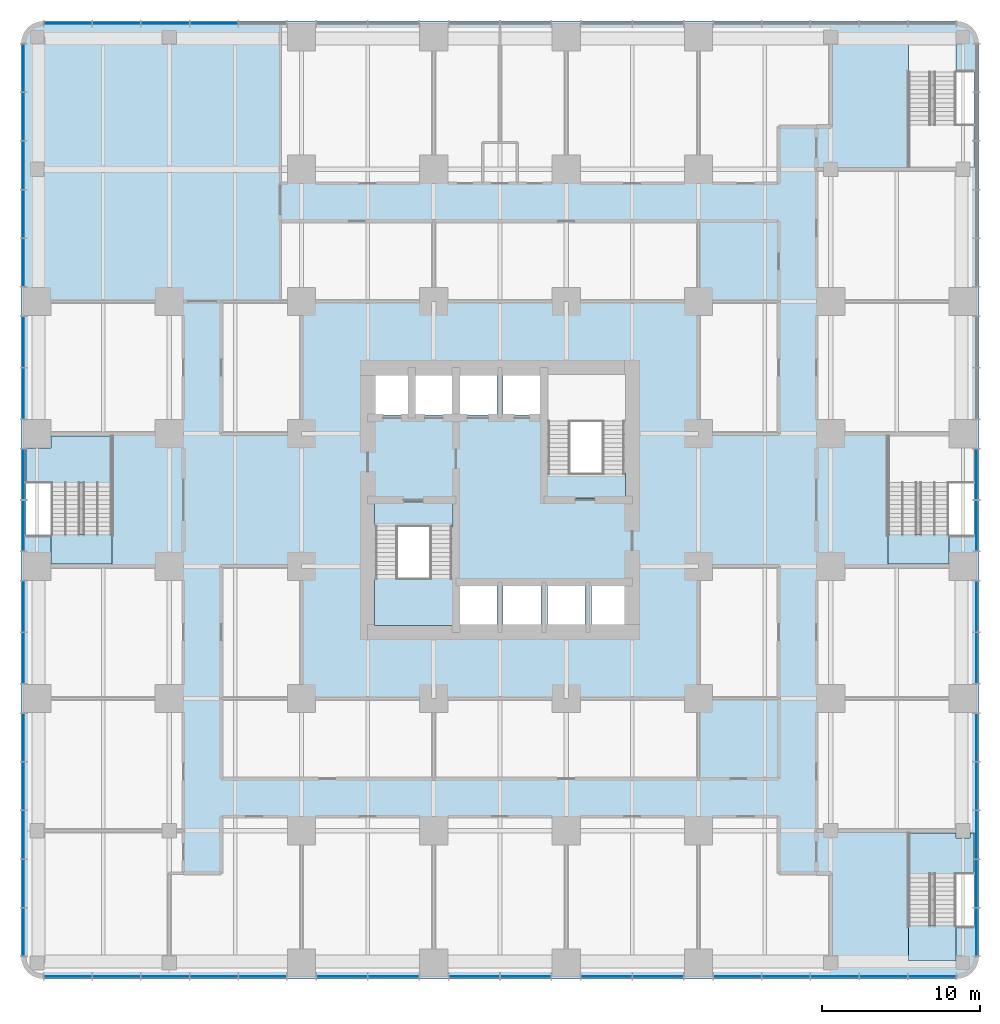
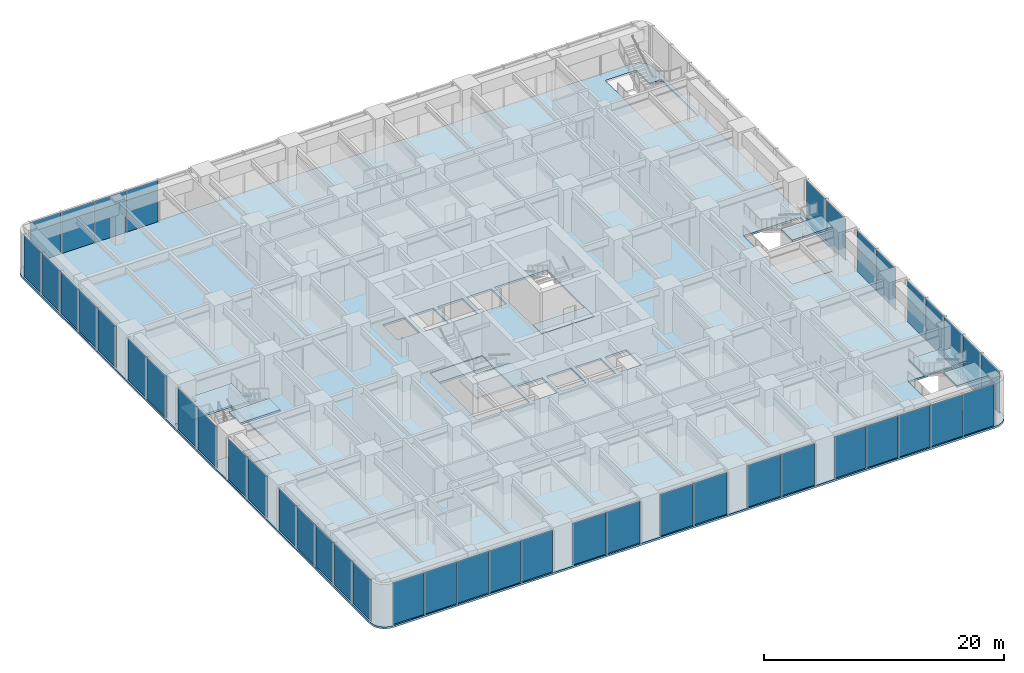
# One storey, part 8 of 17: 45 plates, 12 slabs, 9 elements without a shape of their own.
"""IFC4 building model written with IfcOpenShell, lengths in metres."""

from ifc_helpers import new_model, si_unit, direction, frame, origin, origin_2d, place, context, subcontext, project, spatial, polyline, rectangle, outline, extrude, material, layer, layer_set, type_object, element, aggregate, save


model = new_model("IFC4")

# Units and contexts
model_context = context("Model", 3, precision=1e-05, world=origin(), true_north=direction((0.0, 1.0)))
body_context = subcontext(model_context, "Body", "Model", "MODEL_VIEW")
ifc_project = project(units=[si_unit("LENGTHUNIT", "METRE"), si_unit("AREAUNIT", "SQUARE_METRE"), si_unit("VOLUMEUNIT", "CUBIC_METRE"), si_unit("PLANEANGLEUNIT", "RADIAN"), si_unit("MASSUNIT", "GRAM", prefix="KILO")], contexts=[model_context])

# Site, building, storey
site_placement = place(None, origin())
site = spatial("IfcSite", under=ifc_project, at=site_placement, CompositionType="ELEMENT")
building_placement = place(site_placement, origin())
building = spatial("IfcBuilding", under=site, at=building_placement, Name="Torre Alcanfor", CompositionType="ELEMENT")
storey_placement = place(building_placement, frame((0.0, 0.0, 19.5)))
storey = spatial("IfcBuildingStorey", under=building, at=storey_placement, Name="L04", CompositionType="ELEMENT", Elevation=19.5)

# Curtain wall, plates
ifc_material_1 = material(Name="Aluminium and glass", Category="aluminium")
curtain_wall_type = type_object("IfcCurtainWallType", Name="CW-B unitised classroom glazing with vertical FIN", PredefinedType="NOTDEFINED", material=ifc_material_1)
curtain_wall_1_placement = place(storey_placement, origin())
curtain_wall_1 = element("IfcCurtainWall", 1, at=curtain_wall_1_placement, inside=storey, type_object=curtain_wall_type, Name="Curtain wall CW-B L04 1", PredefinedType="NOTDEFINED")
ifc_material_2 = material(Name="Glass", Category="glass")
ifc_layer_1 = layer(ifc_material_2, 0.028076171875)
ifc_layer_set_1 = layer_set([ifc_layer_1], Name="CW-B clear double glazed unit")
plate_type = type_object("IfcPlateType", Name="CW-B clear double glazed unit", PredefinedType="CURTAIN_PANEL", material=ifc_layer_set_1)
plate_1_placement = place(storey_placement, frame((59.64990234375, 1.9658203125, 0.0), z_axis=(0.0, 0.0, 1.0), x_axis=(0.0, 1.0, 0.0)))
plate_1 = element("IfcPlate", 2, at=plate_1_placement, type_object=plate_type, Name="CW-B panel 1.1.1", PredefinedType="CURTAIN_PANEL", context=body_context, shape_type="SweptSolid", body=[
    extrude(rectangle(XDim=3.00146484375, YDim=0.028076171875, at=origin_2d()), origin(), (0.0, 0.0, 1.0), 4.235107421875),
])
plate_2_placement = place(storey_placement, frame((59.64990234375, 5.048583984375, 0.0), z_axis=(0.0, 0.0, 1.0), x_axis=(0.0, 1.0, 0.0)))
plate_2 = element("IfcPlate", 3, at=plate_2_placement, type_object=plate_type, Name="CW-B panel 1.2.1", PredefinedType="CURTAIN_PANEL", context=body_context, shape_type="SweptSolid", body=[
    extrude(rectangle(XDim=3.033935546875, YDim=0.028076171875, at=origin_2d()), origin(), (0.0, 0.0, 1.0), 4.235107421875),
])
plate_3_placement = place(storey_placement, frame((59.64990234375, 8.1474609375, 0.0), z_axis=(0.0, 0.0, 1.0), x_axis=(0.0, 1.0, 0.0)))
plate_3 = element("IfcPlate", 4, at=plate_3_placement, type_object=plate_type, Name="CW-B panel 1.3.1", PredefinedType="CURTAIN_PANEL", context=body_context, shape_type="SweptSolid", body=[
    extrude(rectangle(XDim=3.033935546875, YDim=0.028076171875, at=origin_2d()), origin(), (0.0, 0.0, 1.0), 4.235107421875),
])
plate_4_placement = place(storey_placement, frame((59.64990234375, 11.24658203125, 0.0), z_axis=(0.0, 0.0, 1.0), x_axis=(0.0, 1.0, 0.0)))
plate_4 = element("IfcPlate", 5, at=plate_4_placement, type_object=plate_type, Name="CW-B panel 1.4.1", PredefinedType="CURTAIN_PANEL", context=body_context, shape_type="SweptSolid", body=[
    extrude(rectangle(XDim=3.033935546875, YDim=0.028076171875, at=origin_2d()), origin(), (0.0, 0.0, 1.0), 4.235107421875),
])
plate_5_placement = place(storey_placement, frame((59.64990234375, 14.329345703125, 0.0), z_axis=(0.0, 0.0, 1.0), x_axis=(0.0, 1.0, 0.0)))
plate_5 = element("IfcPlate", 6, at=plate_5_placement, type_object=plate_type, Name="CW-B panel 1.5.1", PredefinedType="CURTAIN_PANEL", context=body_context, shape_type="SweptSolid", body=[
    extrude(rectangle(XDim=3.00146484375, YDim=0.028076171875, at=origin_2d()), origin(), (0.0, 0.0, 1.0), 4.235107421875),
])
plate_6_placement = place(storey_placement, frame((59.64990234375, 19.36865234375, 0.0), z_axis=(0.0, 0.0, 1.0), x_axis=(0.0, 1.0, 0.0)))
plate_6 = element("IfcPlate", 7, at=plate_6_placement, type_object=plate_type, Name="CW-B panel 2.1.1", PredefinedType="CURTAIN_PANEL", context=body_context, shape_type="SweptSolid", body=[
    extrude(rectangle(XDim=3.197509765625, YDim=0.028076171875, at=origin_2d()), origin(), (0.0, 0.0, 1.0), 4.235107421875),
])
plate_7_placement = place(storey_placement, frame((59.64990234375, 22.63134765625, 0.0), z_axis=(0.0, 0.0, 1.0), x_axis=(0.0, 1.0, 0.0)))
plate_7 = element("IfcPlate", 8, at=plate_7_placement, type_object=plate_type, Name="CW-B panel 2.2.1", PredefinedType="CURTAIN_PANEL", context=body_context, shape_type="SweptSolid", body=[
    extrude(rectangle(XDim=3.197509765625, YDim=0.028076171875, at=origin_2d()), origin(), (0.0, 0.0, 1.0), 4.235107421875),
])
plate_8_placement = place(storey_placement, frame((59.64990234375, 27.768798828125, 0.0), z_axis=(0.0, 0.0, 1.0), x_axis=(0.0, 1.0, 0.0)))
plate_8 = element("IfcPlate", 9, at=plate_8_placement, type_object=plate_type, Name="CW-B panel 3.1.1", PredefinedType="CURTAIN_PANEL", context=body_context, shape_type="SweptSolid", body=[
    extrude(rectangle(XDim=3.197509765625, YDim=0.028076171875, at=origin_2d()), origin(), (0.0, 0.0, 1.0), 4.235107421875),
])
plate_9_placement = place(storey_placement, frame((59.64990234375, 31.03125, 0.0), z_axis=(0.0, 0.0, 1.0), x_axis=(0.0, 1.0, 0.0)))
plate_9 = element("IfcPlate", 10, at=plate_9_placement, type_object=plate_type, Name="CW-B panel 3.2.1", PredefinedType="CURTAIN_PANEL", context=body_context, shape_type="SweptSolid", body=[
    extrude(rectangle(XDim=3.197509765625, YDim=0.028076171875, at=origin_2d()), origin(), (0.0, 0.0, 1.0), 4.235107421875),
])
aggregate(curtain_wall_1, [plate_1, plate_2, plate_3, plate_4, plate_5, plate_6, plate_7, plate_8, plate_9])

curtain_wall_2_placement = place(storey_placement, origin())
curtain_wall_2 = element("IfcCurtainWall", 11, at=curtain_wall_2_placement, inside=storey, type_object=curtain_wall_type, Name="Curtain wall CW-B L04 2", PredefinedType="NOTDEFINED")
plate_10_placement = place(storey_placement, frame((11.24658203125, 59.64990234375, 0.0), z_axis=(0.0, 0.0, 1.0), x_axis=(-1.0, 0.0, 0.0)))
plate_10 = element("IfcPlate", 12, at=plate_10_placement, type_object=plate_type, Name="CW-B panel 5.2.1", PredefinedType="CURTAIN_PANEL", context=body_context, shape_type="SweptSolid", body=[
    extrude(rectangle(XDim=3.033935546875, YDim=0.028076171875, at=origin_2d()), origin(), (0.0, 0.0, 1.0), 4.235107421875),
])
plate_11_placement = place(storey_placement, frame((8.1474609375, 59.64990234375, 0.0), z_axis=(0.0, 0.0, 1.0), x_axis=(-1.0, 0.0, 0.0)))
plate_11 = element("IfcPlate", 13, at=plate_11_placement, type_object=plate_type, Name="CW-B panel 5.3.1", PredefinedType="CURTAIN_PANEL", context=body_context, shape_type="SweptSolid", body=[
    extrude(rectangle(XDim=3.033935546875, YDim=0.028076171875, at=origin_2d()), origin(), (0.0, 0.0, 1.0), 4.235107421875),
])
plate_12_placement = place(storey_placement, frame((5.048583984375, 59.64990234375, 0.0), z_axis=(0.0, 0.0, 1.0), x_axis=(-1.0, 0.0, 0.0)))
plate_12 = element("IfcPlate", 14, at=plate_12_placement, type_object=plate_type, Name="CW-B panel 5.4.1", PredefinedType="CURTAIN_PANEL", context=body_context, shape_type="SweptSolid", body=[
    extrude(rectangle(XDim=3.033935546875, YDim=0.028076171875, at=origin_2d()), origin(), (0.0, 0.0, 1.0), 4.235107421875),
])
plate_13_placement = place(storey_placement, frame((1.9658203125, 59.64990234375, 0.0), z_axis=(0.0, 0.0, 1.0), x_axis=(-1.0, 0.0, 0.0)))
plate_13 = element("IfcPlate", 15, at=plate_13_placement, type_object=plate_type, Name="CW-B panel 5.5.1", PredefinedType="CURTAIN_PANEL", context=body_context, shape_type="SweptSolid", body=[
    extrude(rectangle(XDim=3.00146484375, YDim=0.028076171875, at=origin_2d()), origin(), (0.0, 0.0, 1.0), 4.235107421875),
])
aggregate(curtain_wall_2, [plate_10, plate_11, plate_12, plate_13])

curtain_wall_3_placement = place(storey_placement, origin())
curtain_wall_3 = element("IfcCurtainWall", 16, at=curtain_wall_3_placement, inside=storey, type_object=curtain_wall_type, Name="Curtain wall CW-B L04 3", PredefinedType="NOTDEFINED")
plate_14_placement = place(storey_placement, frame((-0.85009765625, 56.834228515625, 0.0), z_axis=(0.0, 0.0, 1.0), x_axis=(0.0, -1.0, 0.0)))
plate_14 = element("IfcPlate", 17, at=plate_14_placement, type_object=plate_type, Name="CW-B panel 1.1.1", PredefinedType="CURTAIN_PANEL", context=body_context, shape_type="SweptSolid", body=[
    extrude(rectangle(XDim=3.00146484375, YDim=0.028076171875, at=origin_2d()), origin(), (0.0, 0.0, 1.0), 4.235107421875),
])
plate_15_placement = place(storey_placement, frame((-0.85009765625, 53.75146484375, 0.0), z_axis=(0.0, 0.0, 1.0), x_axis=(0.0, -1.0, 0.0)))
plate_15 = element("IfcPlate", 18, at=plate_15_placement, type_object=plate_type, Name="CW-B panel 1.2.1", PredefinedType="CURTAIN_PANEL", context=body_context, shape_type="SweptSolid", body=[
    extrude(rectangle(XDim=3.033935546875, YDim=0.028076171875, at=origin_2d()), origin(), (0.0, 0.0, 1.0), 4.235107421875),
])
plate_16_placement = place(storey_placement, frame((-0.85009765625, 50.652587890625, 0.0), z_axis=(0.0, 0.0, 1.0), x_axis=(0.0, -1.0, 0.0)))
plate_16 = element("IfcPlate", 19, at=plate_16_placement, type_object=plate_type, Name="CW-B panel 1.3.1", PredefinedType="CURTAIN_PANEL", context=body_context, shape_type="SweptSolid", body=[
    extrude(rectangle(XDim=3.033935546875, YDim=0.028076171875, at=origin_2d()), origin(), (0.0, 0.0, 1.0), 4.235107421875),
])
plate_17_placement = place(storey_placement, frame((-0.85009765625, 47.553466796875, 0.0), z_axis=(0.0, 0.0, 1.0), x_axis=(0.0, -1.0, 0.0)))
plate_17 = element("IfcPlate", 20, at=plate_17_placement, type_object=plate_type, Name="CW-B panel 1.4.1", PredefinedType="CURTAIN_PANEL", context=body_context, shape_type="SweptSolid", body=[
    extrude(rectangle(XDim=3.033935546875, YDim=0.028076171875, at=origin_2d()), origin(), (0.0, 0.0, 1.0), 4.235107421875),
])
plate_18_placement = place(storey_placement, frame((-0.85009765625, 44.470703125, 0.0), z_axis=(0.0, 0.0, 1.0), x_axis=(0.0, -1.0, 0.0)))
plate_18 = element("IfcPlate", 21, at=plate_18_placement, type_object=plate_type, Name="CW-B panel 1.5.1", PredefinedType="CURTAIN_PANEL", context=body_context, shape_type="SweptSolid", body=[
    extrude(rectangle(XDim=3.00146484375, YDim=0.028076171875, at=origin_2d()), origin(), (0.0, 0.0, 1.0), 4.235107421875),
])
plate_19_placement = place(storey_placement, frame((-0.85009765625, 39.43115234375, 0.0), z_axis=(0.0, 0.0, 1.0), x_axis=(0.0, -1.0, 0.0)))
plate_19 = element("IfcPlate", 22, at=plate_19_placement, type_object=plate_type, Name="CW-B panel 2.1.1", PredefinedType="CURTAIN_PANEL", context=body_context, shape_type="SweptSolid", body=[
    extrude(rectangle(XDim=3.197509765625, YDim=0.028076171875, at=origin_2d()), origin(), (0.0, 0.0, 1.0), 4.235107421875),
])
plate_20_placement = place(storey_placement, frame((-0.85009765625, 36.168701171875, 0.0), z_axis=(0.0, 0.0, 1.0), x_axis=(0.0, -1.0, 0.0)))
plate_20 = element("IfcPlate", 23, at=plate_20_placement, type_object=plate_type, Name="CW-B panel 2.2.1", PredefinedType="CURTAIN_PANEL", context=body_context, shape_type="SweptSolid", body=[
    extrude(rectangle(XDim=3.197509765625, YDim=0.028076171875, at=origin_2d()), origin(), (0.0, 0.0, 1.0), 4.235107421875),
])
plate_21_placement = place(storey_placement, frame((-0.85009765625, 31.03125, 0.0), z_axis=(0.0, 0.0, 1.0), x_axis=(0.0, -1.0, 0.0)))
plate_21 = element("IfcPlate", 24, at=plate_21_placement, type_object=plate_type, Name="CW-B panel 3.1.1", PredefinedType="CURTAIN_PANEL", context=body_context, shape_type="SweptSolid", body=[
    extrude(rectangle(XDim=3.197509765625, YDim=0.028076171875, at=origin_2d()), origin(), (0.0, 0.0, 1.0), 4.235107421875),
])
plate_22_placement = place(storey_placement, frame((-0.85009765625, 27.768798828125, 0.0), z_axis=(0.0, 0.0, 1.0), x_axis=(0.0, -1.0, 0.0)))
plate_22 = element("IfcPlate", 25, at=plate_22_placement, type_object=plate_type, Name="CW-B panel 3.2.1", PredefinedType="CURTAIN_PANEL", context=body_context, shape_type="SweptSolid", body=[
    extrude(rectangle(XDim=3.197509765625, YDim=0.028076171875, at=origin_2d()), origin(), (0.0, 0.0, 1.0), 4.235107421875),
])
plate_23_placement = place(storey_placement, frame((-0.85009765625, 22.63134765625, 0.0), z_axis=(0.0, 0.0, 1.0), x_axis=(0.0, -1.0, 0.0)))
plate_23 = element("IfcPlate", 26, at=plate_23_placement, type_object=plate_type, Name="CW-B panel 4.1.1", PredefinedType="CURTAIN_PANEL", context=body_context, shape_type="SweptSolid", body=[
    extrude(rectangle(XDim=3.197509765625, YDim=0.028076171875, at=origin_2d()), origin(), (0.0, 0.0, 1.0), 4.235107421875),
])
plate_24_placement = place(storey_placement, frame((-0.85009765625, 19.36865234375, 0.0), z_axis=(0.0, 0.0, 1.0), x_axis=(0.0, -1.0, 0.0)))
plate_24 = element("IfcPlate", 27, at=plate_24_placement, type_object=plate_type, Name="CW-B panel 4.2.1", PredefinedType="CURTAIN_PANEL", context=body_context, shape_type="SweptSolid", body=[
    extrude(rectangle(XDim=3.197509765625, YDim=0.028076171875, at=origin_2d()), origin(), (0.0, 0.0, 1.0), 4.235107421875),
])
plate_25_placement = place(storey_placement, frame((-0.85009765625, 14.329345703125, 0.0), z_axis=(0.0, 0.0, 1.0), x_axis=(0.0, -1.0, 0.0)))
plate_25 = element("IfcPlate", 28, at=plate_25_placement, type_object=plate_type, Name="CW-B panel 5.1.1", PredefinedType="CURTAIN_PANEL", context=body_context, shape_type="SweptSolid", body=[
    extrude(rectangle(XDim=3.00146484375, YDim=0.028076171875, at=origin_2d()), origin(), (0.0, 0.0, 1.0), 4.235107421875),
])
plate_26_placement = place(storey_placement, frame((-0.85009765625, 11.24658203125, 0.0), z_axis=(0.0, 0.0, 1.0), x_axis=(0.0, -1.0, 0.0)))
plate_26 = element("IfcPlate", 29, at=plate_26_placement, type_object=plate_type, Name="CW-B panel 5.2.1", PredefinedType="CURTAIN_PANEL", context=body_context, shape_type="SweptSolid", body=[
    extrude(rectangle(XDim=3.033935546875, YDim=0.028076171875, at=origin_2d()), origin(), (0.0, 0.0, 1.0), 4.235107421875),
])
plate_27_placement = place(storey_placement, frame((-0.85009765625, 8.1474609375, 0.0), z_axis=(0.0, 0.0, 1.0), x_axis=(0.0, -1.0, 0.0)))
plate_27 = element("IfcPlate", 30, at=plate_27_placement, type_object=plate_type, Name="CW-B panel 5.3.1", PredefinedType="CURTAIN_PANEL", context=body_context, shape_type="SweptSolid", body=[
    extrude(rectangle(XDim=3.033935546875, YDim=0.028076171875, at=origin_2d()), origin(), (0.0, 0.0, 1.0), 4.235107421875),
])
plate_28_placement = place(storey_placement, frame((-0.85009765625, 5.048583984375, 0.0), z_axis=(0.0, 0.0, 1.0), x_axis=(0.0, -1.0, 0.0)))
plate_28 = element("IfcPlate", 31, at=plate_28_placement, type_object=plate_type, Name="CW-B panel 5.4.1", PredefinedType="CURTAIN_PANEL", context=body_context, shape_type="SweptSolid", body=[
    extrude(rectangle(XDim=3.033935546875, YDim=0.028076171875, at=origin_2d()), origin(), (0.0, 0.0, 1.0), 4.235107421875),
])
plate_29_placement = place(storey_placement, frame((-0.85009765625, 1.9658203125, 0.0), z_axis=(0.0, 0.0, 1.0), x_axis=(0.0, -1.0, 0.0)))
plate_29 = element("IfcPlate", 32, at=plate_29_placement, type_object=plate_type, Name="CW-B panel 5.5.1", PredefinedType="CURTAIN_PANEL", context=body_context, shape_type="SweptSolid", body=[
    extrude(rectangle(XDim=3.00146484375, YDim=0.028076171875, at=origin_2d()), origin(), (0.0, 0.0, 1.0), 4.235107421875),
])
aggregate(curtain_wall_3, [plate_14, plate_15, plate_16, plate_17, plate_18, plate_19, plate_20, plate_21, plate_22, plate_23, plate_24, plate_25, plate_26, plate_27, plate_28, plate_29])

curtain_wall_4_placement = place(storey_placement, origin())
curtain_wall_4 = element("IfcCurtainWall", 33, at=curtain_wall_4_placement, inside=storey, type_object=curtain_wall_type, Name="Curtain wall CW-B L04 4", PredefinedType="NOTDEFINED")
plate_30_placement = place(storey_placement, frame((1.9658203125, -0.85009765625, 0.0), z_axis=(0.0, 0.0, 1.0), x_axis=(1.0, 0.0, 0.0)))
plate_30 = element("IfcPlate", 34, at=plate_30_placement, type_object=plate_type, Name="CW-B panel 1.1.1", PredefinedType="CURTAIN_PANEL", context=body_context, shape_type="SweptSolid", body=[
    extrude(rectangle(XDim=3.00146484375, YDim=0.028076171875, at=origin_2d()), origin(), (0.0, 0.0, 1.0), 4.235107421875),
])
plate_31_placement = place(storey_placement, frame((5.048583984375, -0.85009765625, 0.0), z_axis=(0.0, 0.0, 1.0), x_axis=(1.0, 0.0, 0.0)))
plate_31 = element("IfcPlate", 35, at=plate_31_placement, type_object=plate_type, Name="CW-B panel 1.2.1", PredefinedType="CURTAIN_PANEL", context=body_context, shape_type="SweptSolid", body=[
    extrude(rectangle(XDim=3.033935546875, YDim=0.028076171875, at=origin_2d()), origin(), (0.0, 0.0, 1.0), 4.235107421875),
])
plate_32_placement = place(storey_placement, frame((8.1474609375, -0.85009765625, 0.0), z_axis=(0.0, 0.0, 1.0), x_axis=(1.0, 0.0, 0.0)))
plate_32 = element("IfcPlate", 36, at=plate_32_placement, type_object=plate_type, Name="CW-B panel 1.3.1", PredefinedType="CURTAIN_PANEL", context=body_context, shape_type="SweptSolid", body=[
    extrude(rectangle(XDim=3.033935546875, YDim=0.028076171875, at=origin_2d()), origin(), (0.0, 0.0, 1.0), 4.235107421875),
])
plate_33_placement = place(storey_placement, frame((11.24658203125, -0.85009765625, 0.0), z_axis=(0.0, 0.0, 1.0), x_axis=(1.0, 0.0, 0.0)))
plate_33 = element("IfcPlate", 37, at=plate_33_placement, type_object=plate_type, Name="CW-B panel 1.4.1", PredefinedType="CURTAIN_PANEL", context=body_context, shape_type="SweptSolid", body=[
    extrude(rectangle(XDim=3.033935546875, YDim=0.028076171875, at=origin_2d()), origin(), (0.0, 0.0, 1.0), 4.235107421875),
])
plate_34_placement = place(storey_placement, frame((14.329345703125, -0.85009765625, 0.0), z_axis=(0.0, 0.0, 1.0), x_axis=(1.0, 0.0, 0.0)))
plate_34 = element("IfcPlate", 38, at=plate_34_placement, type_object=plate_type, Name="CW-B panel 1.5.1", PredefinedType="CURTAIN_PANEL", context=body_context, shape_type="SweptSolid", body=[
    extrude(rectangle(XDim=3.00146484375, YDim=0.028076171875, at=origin_2d()), origin(), (0.0, 0.0, 1.0), 4.235107421875),
])
plate_35_placement = place(storey_placement, frame((19.36865234375, -0.85009765625, 0.0), z_axis=(0.0, 0.0, 1.0), x_axis=(1.0, 0.0, 0.0)))
plate_35 = element("IfcPlate", 39, at=plate_35_placement, type_object=plate_type, Name="CW-B panel 2.1.1", PredefinedType="CURTAIN_PANEL", context=body_context, shape_type="SweptSolid", body=[
    extrude(rectangle(XDim=3.197509765625, YDim=0.028076171875, at=origin_2d()), origin(), (0.0, 0.0, 1.0), 4.235107421875),
])
plate_36_placement = place(storey_placement, frame((22.63134765625, -0.85009765625, 0.0), z_axis=(0.0, 0.0, 1.0), x_axis=(1.0, 0.0, 0.0)))
plate_36 = element("IfcPlate", 40, at=plate_36_placement, type_object=plate_type, Name="CW-B panel 2.2.1", PredefinedType="CURTAIN_PANEL", context=body_context, shape_type="SweptSolid", body=[
    extrude(rectangle(XDim=3.197509765625, YDim=0.028076171875, at=origin_2d()), origin(), (0.0, 0.0, 1.0), 4.235107421875),
])
plate_37_placement = place(storey_placement, frame((27.768798828125, -0.85009765625, 0.0), z_axis=(0.0, 0.0, 1.0), x_axis=(1.0, 0.0, 0.0)))
plate_37 = element("IfcPlate", 41, at=plate_37_placement, type_object=plate_type, Name="CW-B panel 3.1.1", PredefinedType="CURTAIN_PANEL", context=body_context, shape_type="SweptSolid", body=[
    extrude(rectangle(XDim=3.197509765625, YDim=0.028076171875, at=origin_2d()), origin(), (0.0, 0.0, 1.0), 4.235107421875),
])
plate_38_placement = place(storey_placement, frame((31.03125, -0.85009765625, 0.0), z_axis=(0.0, 0.0, 1.0), x_axis=(1.0, 0.0, 0.0)))
plate_38 = element("IfcPlate", 42, at=plate_38_placement, type_object=plate_type, Name="CW-B panel 3.2.1", PredefinedType="CURTAIN_PANEL", context=body_context, shape_type="SweptSolid", body=[
    extrude(rectangle(XDim=3.197509765625, YDim=0.028076171875, at=origin_2d()), origin(), (0.0, 0.0, 1.0), 4.235107421875),
])
plate_39_placement = place(storey_placement, frame((36.168701171875, -0.85009765625, 0.0), z_axis=(0.0, 0.0, 1.0), x_axis=(1.0, 0.0, 0.0)))
plate_39 = element("IfcPlate", 43, at=plate_39_placement, type_object=plate_type, Name="CW-B panel 4.1.1", PredefinedType="CURTAIN_PANEL", context=body_context, shape_type="SweptSolid", body=[
    extrude(rectangle(XDim=3.197509765625, YDim=0.028076171875, at=origin_2d()), origin(), (0.0, 0.0, 1.0), 4.235107421875),
])
plate_40_placement = place(storey_placement, frame((39.43115234375, -0.85009765625, 0.0), z_axis=(0.0, 0.0, 1.0), x_axis=(1.0, 0.0, 0.0)))
plate_40 = element("IfcPlate", 44, at=plate_40_placement, type_object=plate_type, Name="CW-B panel 4.2.1", PredefinedType="CURTAIN_PANEL", context=body_context, shape_type="SweptSolid", body=[
    extrude(rectangle(XDim=3.197509765625, YDim=0.028076171875, at=origin_2d()), origin(), (0.0, 0.0, 1.0), 4.235107421875),
])
plate_41_placement = place(storey_placement, frame((44.470703125, -0.85009765625, 0.0), z_axis=(0.0, 0.0, 1.0), x_axis=(1.0, 0.0, 0.0)))
plate_41 = element("IfcPlate", 45, at=plate_41_placement, type_object=plate_type, Name="CW-B panel 5.1.1", PredefinedType="CURTAIN_PANEL", context=body_context, shape_type="SweptSolid", body=[
    extrude(rectangle(XDim=3.00146484375, YDim=0.028076171875, at=origin_2d()), origin(), (0.0, 0.0, 1.0), 4.235107421875),
])
plate_42_placement = place(storey_placement, frame((47.553466796875, -0.85009765625, 0.0), z_axis=(0.0, 0.0, 1.0), x_axis=(1.0, 0.0, 0.0)))
plate_42 = element("IfcPlate", 46, at=plate_42_placement, type_object=plate_type, Name="CW-B panel 5.2.1", PredefinedType="CURTAIN_PANEL", context=body_context, shape_type="SweptSolid", body=[
    extrude(rectangle(XDim=3.033935546875, YDim=0.028076171875, at=origin_2d()), origin(), (0.0, 0.0, 1.0), 4.235107421875),
])
plate_43_placement = place(storey_placement, frame((50.652587890625, -0.85009765625, 0.0), z_axis=(0.0, 0.0, 1.0), x_axis=(1.0, 0.0, 0.0)))
plate_43 = element("IfcPlate", 47, at=plate_43_placement, type_object=plate_type, Name="CW-B panel 5.3.1", PredefinedType="CURTAIN_PANEL", context=body_context, shape_type="SweptSolid", body=[
    extrude(rectangle(XDim=3.033935546875, YDim=0.028076171875, at=origin_2d()), origin(), (0.0, 0.0, 1.0), 4.235107421875),
])
plate_44_placement = place(storey_placement, frame((53.75146484375, -0.85009765625, 0.0), z_axis=(0.0, 0.0, 1.0), x_axis=(1.0, 0.0, 0.0)))
plate_44 = element("IfcPlate", 48, at=plate_44_placement, type_object=plate_type, Name="CW-B panel 5.4.1", PredefinedType="CURTAIN_PANEL", context=body_context, shape_type="SweptSolid", body=[
    extrude(rectangle(XDim=3.033935546875, YDim=0.028076171875, at=origin_2d()), origin(), (0.0, 0.0, 1.0), 4.235107421875),
])
plate_45_placement = place(storey_placement, frame((56.834228515625, -0.85009765625, 0.0), z_axis=(0.0, 0.0, 1.0), x_axis=(1.0, 0.0, 0.0)))
plate_45 = element("IfcPlate", 49, at=plate_45_placement, type_object=plate_type, Name="CW-B panel 5.5.1", PredefinedType="CURTAIN_PANEL", context=body_context, shape_type="SweptSolid", body=[
    extrude(rectangle(XDim=3.00146484375, YDim=0.028076171875, at=origin_2d()), origin(), (0.0, 0.0, 1.0), 4.235107421875),
])
aggregate(curtain_wall_4, [plate_30, plate_31, plate_32, plate_33, plate_34, plate_35, plate_36, plate_37, plate_38, plate_39, plate_40, plate_41, plate_42, plate_43, plate_44, plate_45])

# Slab
ifc_material_3 = material(Name="Concrete f'c 35 MPa", Category="concrete")
ifc_layer_2 = layer(ifc_material_3, 0.199951171875)
ifc_layer_set_2 = layer_set([ifc_layer_2], Name="Floor slab 200")
slab_type_1 = type_object("IfcSlabType", Name="Floor slab 200", PredefinedType="FLOOR", material=ifc_layer_set_2)
slab_1_placement = place(storey_placement, frame((0.0, 0.0, -0.199951171875)))
element("IfcSlab", 50, at=slab_1_placement, inside=storey, type_object=slab_type_1, Name="Floor slab L04", PredefinedType="FLOOR", context=body_context, shape_type="SweptSolid", body=[
    extrude(outline(polyline([(58.39990234375, -1.0), (58.76220703125, -0.952392578125), (59.10009765625, -0.8125), (59.389892578125, -0.58984375), (59.6123046875, -0.300048828125), (59.752197265625, 0.03759765625), (59.800048828125, 0.39990234375), (59.800048828125, 58.39990234375), (59.752197265625, 58.76220703125), (59.6123046875, 59.10009765625), (59.389892578125, 59.389892578125), (59.10009765625, 59.6123046875), (58.76220703125, 59.752197265625), (58.39990234375, 59.800048828125), (0.39990234375, 59.800048828125), (0.03759765625, 59.752197265625), (-0.300048828125, 59.6123046875), (-0.58984375, 59.389892578125), (-0.8125, 59.10009765625), (-0.952392578125, 58.76220703125), (-1.0, 58.39990234375), (-1.0, 0.39990234375), (-0.952392578125, 0.03759765625), (-0.8125, -0.300048828125), (-0.58984375, -0.58984375), (-0.300048828125, -0.8125), (0.03759765625, -0.952392578125), (0.39990234375, -1.0), (58.39990234375, -1.0)]), holes=[polyline([(21.419921875, 21.419921875), (26.47998046875, 21.419921875), (26.47998046875, 29.280029296875), (21.419921875, 29.280029296875), (21.419921875, 21.419921875)]), polyline([(32.320068359375, 29.52001953125), (37.3798828125, 29.52001953125), (37.3798828125, 37.3798828125), (32.320068359375, 37.3798828125), (32.320068359375, 29.52001953125)]), polyline([(26.800048828125, 21.5), (29.199951171875, 21.5), (29.199951171875, 24.0), (26.800048828125, 24.0), (26.800048828125, 21.5)]), polyline([(29.60009765625, 21.5), (32.0, 21.5), (32.0, 24.0), (29.60009765625, 24.0), (29.60009765625, 21.5)]), polyline([(32.39990234375, 21.5), (34.800048828125, 21.5), (34.800048828125, 24.0), (32.39990234375, 24.0), (32.39990234375, 21.5)]), polyline([(35.199951171875, 21.5), (37.300048828125, 21.5), (37.300048828125, 24.0), (35.199951171875, 24.0), (35.199951171875, 21.5)]), polyline([(21.5, 34.800048828125), (23.60009765625, 34.800048828125), (23.60009765625, 37.300048828125), (21.5, 37.300048828125), (21.5, 34.800048828125)]), polyline([(24.0, 34.800048828125), (26.39990234375, 34.800048828125), (26.39990234375, 37.300048828125), (24.0, 37.300048828125), (24.0, 34.800048828125)]), polyline([(26.800048828125, 34.800048828125), (29.199951171875, 34.800048828125), (29.199951171875, 37.300048828125), (26.800048828125, 37.300048828125), (26.800048828125, 34.800048828125)]), polyline([(29.60009765625, 34.800048828125), (32.0, 34.800048828125), (32.0, 37.300048828125), (29.60009765625, 37.300048828125), (29.60009765625, 34.800048828125)]), polyline([(4.760009765625, 25.324951171875), (0.89990234375, 25.324951171875), (0.89990234375, 27.155029296875), (-0.699951171875, 27.155029296875), (-0.699951171875, 33.47509765625), (4.760009765625, 33.47509765625), (4.760009765625, 25.324951171875)]), polyline([(57.89990234375, 25.324951171875), (54.0400390625, 25.324951171875), (54.0400390625, 33.47509765625), (59.5, 33.47509765625), (59.5, 27.155029296875), (57.89990234375, 27.155029296875), (57.89990234375, 25.324951171875)]), polyline([(58.35009765625, 0.125), (55.35009765625, 0.125), (55.35009765625, 8.27490234375), (59.5, 8.27490234375), (59.5, 2.324951171875), (58.35009765625, 2.324951171875), (58.35009765625, 0.125)]), polyline([(59.5, 56.574951171875), (59.5, 50.52490234375), (55.35009765625, 50.52490234375), (55.35009765625, 58.77490234375), (58.35009765625, 58.77490234375), (58.35009765625, 56.574951171875), (59.5, 56.574951171875)])]), origin(), (0.0, 0.0, 1.0), 0.199951171875),
])

# Stair, slabs
ifc_material_4 = material(Name="Concrete f'c 35 MPa", Category="concrete")
stair_type_1 = type_object("IfcStairType", Name="Exit stair S1 1400 wide", PredefinedType="HALF_TURN_STAIR", material=ifc_material_4)
stair_1_placement = place(storey_placement, origin())
stair_1 = element("IfcStair", 51, at=stair_1_placement, inside=storey, type_object=stair_type_1, Name="Stair S1 L04 to L05", PredefinedType="HALF_TURN_STAIR")
ifc_material_5 = material(Name="Concrete f'c 35 MPa", Category="concrete")
ifc_layer_3 = layer(ifc_material_5, 0.199951171875)
ifc_layer_set_3 = layer_set([ifc_layer_3], Name="Stair landing 200")
slab_type_2 = type_object("IfcSlabType", Name="Stair landing 200", PredefinedType="LANDING", material=ifc_layer_set_3)
slab_2_placement = place(storey_placement, frame((0.0, 0.0, -0.199951171875)))
slab_2 = element("IfcSlab", 52, at=slab_2_placement, type_object=slab_type_2, Name="S1 landing 1", PredefinedType="LANDING", context=body_context, shape_type="SweptSolid", body=[
    extrude(outline(polyline([(21.419921875, 27.699951171875), (26.429931640625, 27.699951171875), (26.429931640625, 29.22998046875), (21.419921875, 29.22998046875), (21.419921875, 27.699951171875)])), origin(), (0.0, 0.0, 1.0), 0.199951171875),
])
slab_3_placement = place(storey_placement, frame((0.0, 0.0, 2.050048828125)))
slab_3 = element("IfcSlab", 53, at=slab_3_placement, type_object=slab_type_2, Name="S1 landing 2", PredefinedType="LANDING", context=body_context, shape_type="SweptSolid", body=[
    extrude(outline(polyline([(21.419921875, 21.419921875), (26.429931640625, 21.419921875), (26.429931640625, 24.43994140625), (21.419921875, 24.43994140625), (21.419921875, 21.419921875)])), origin(), (0.0, 0.0, 1.0), 0.199951171875),
])
aggregate(stair_1, [slab_2, slab_3])

# Stair, slab
ifc_material_6 = material(Name="Concrete f'c 35 MPa", Category="concrete")
stair_type_2 = type_object("IfcStairType", Name="Exit stair S2 1400 wide", PredefinedType="HALF_TURN_STAIR", material=ifc_material_6)
stair_2_placement = place(storey_placement, origin())
stair_2 = element("IfcStair", 54, at=stair_2_placement, inside=storey, type_object=stair_type_2, Name="Stair S2 L04 to L05", PredefinedType="HALF_TURN_STAIR")
slab_4_placement = place(storey_placement, frame((0.0, 0.0, -0.199951171875)))
slab_4 = element("IfcSlab", 55, at=slab_4_placement, type_object=slab_type_2, Name="S2 landing 1", PredefinedType="LANDING", context=body_context, shape_type="SweptSolid", body=[
    extrude(outline(polyline([(32.3701171875, 29.570068359375), (37.3798828125, 29.570068359375), (37.3798828125, 31.10009765625), (32.3701171875, 31.10009765625), (32.3701171875, 29.570068359375)])), origin(), (0.0, 0.0, 1.0), 0.199951171875),
])
aggregate(stair_2, [slab_4])

# Stair, slabs
ifc_material_7 = material(Name="Concrete f'c 35 MPa", Category="concrete")
stair_type_3 = type_object("IfcStairType", Name="Exit stair SS1 1830 wide", PredefinedType="HALF_TURN_STAIR", material=ifc_material_7)
stair_3_placement = place(storey_placement, origin())
stair_3 = element("IfcStair", 56, at=stair_3_placement, inside=storey, type_object=stair_type_3, Name="Stair SS1 L04 to L05", PredefinedType="HALF_TURN_STAIR")
slab_5_placement = place(storey_placement, frame((0.0, 0.0, 4.300048828125)))
slab_5 = element("IfcSlab", 57, at=slab_5_placement, type_object=slab_type_2, Name="SS1 landing 1", PredefinedType="LANDING", context=body_context, shape_type="SweptSolid", body=[
    extrude(outline(polyline([(4.760009765625, 27.205078125), (4.760009765625, 25.324951171875), (0.89990234375, 25.324951171875), (0.89990234375, 26.10009765625), (0.89990234375, 27.205078125), (4.760009765625, 27.205078125)])), origin(), (0.0, 0.0, 1.0), 0.199951171875),
])
slab_6_placement = place(storey_placement, frame((0.0, 0.0, -0.199951171875)))
slab_6 = element("IfcSlab", 58, at=slab_6_placement, type_object=slab_type_2, Name="SS1 landing 2", PredefinedType="LANDING", context=body_context, shape_type="SweptSolid", body=[
    extrude(outline(polyline([(4.760009765625, 27.205078125), (4.760009765625, 25.324951171875), (0.89990234375, 25.324951171875), (0.89990234375, 26.10009765625), (0.89990234375, 27.205078125), (4.760009765625, 27.205078125)])), origin(), (0.0, 0.0, 1.0), 0.199951171875),
])
slab_7_placement = place(storey_placement, frame((0.0, 0.0, 2.050048828125)))
slab_7 = element("IfcSlab", 59, at=slab_7_placement, type_object=slab_type_2, Name="SS1 landing 3", PredefinedType="LANDING", context=body_context, shape_type="SweptSolid", body=[
    extrude(outline(polyline([(4.760009765625, 33.465087890625), (4.760009765625, 30.465087890625), (-0.699951171875, 30.465087890625), (-0.699951171875, 32.699951171875), (0.89990234375, 32.699951171875), (0.89990234375, 33.465087890625), (4.760009765625, 33.465087890625)])), origin(), (0.0, 0.0, 1.0), 0.199951171875),
])
aggregate(stair_3, [slab_5, slab_6, slab_7])

ifc_material_8 = material(Name="Concrete f'c 35 MPa", Category="concrete")
stair_type_4 = type_object("IfcStairType", Name="Exit stair SS2 1830 wide", PredefinedType="HALF_TURN_STAIR", material=ifc_material_8)
stair_4_placement = place(storey_placement, origin())
stair_4 = element("IfcStair", 60, at=stair_4_placement, inside=storey, type_object=stair_type_4, Name="Stair SS2 L04 to L05", PredefinedType="HALF_TURN_STAIR")
slab_8_placement = place(storey_placement, frame((0.0, 0.0, 4.300048828125)))
slab_8 = element("IfcSlab", 61, at=slab_8_placement, type_object=slab_type_2, Name="SS2 landing 1", PredefinedType="LANDING", context=body_context, shape_type="SweptSolid", body=[
    extrude(outline(polyline([(54.0400390625, 25.324951171875), (54.0400390625, 27.205078125), (57.89990234375, 27.205078125), (57.89990234375, 26.10009765625), (57.89990234375, 25.324951171875), (54.0400390625, 25.324951171875)])), origin(), (0.0, 0.0, 1.0), 0.199951171875),
])
slab_9_placement = place(storey_placement, frame((0.0, 0.0, -0.199951171875)))
slab_9 = element("IfcSlab", 62, at=slab_9_placement, type_object=slab_type_2, Name="SS2 landing 2", PredefinedType="LANDING", context=body_context, shape_type="SweptSolid", body=[
    extrude(outline(polyline([(54.0400390625, 25.324951171875), (54.0400390625, 27.205078125), (57.89990234375, 27.205078125), (57.89990234375, 26.10009765625), (57.89990234375, 25.324951171875), (54.0400390625, 25.324951171875)])), origin(), (0.0, 0.0, 1.0), 0.199951171875),
])
aggregate(stair_4, [slab_8, slab_9])

ifc_material_9 = material(Name="Concrete f'c 35 MPa", Category="concrete")
stair_type_5 = type_object("IfcStairType", Name="Exit stair SS3 1400 wide", PredefinedType="HALF_TURN_STAIR", material=ifc_material_9)
stair_5_placement = place(storey_placement, origin())
stair_5 = element("IfcStair", 63, at=stair_5_placement, inside=storey, type_object=stair_type_5, Name="Stair SS3 L04 to L05", PredefinedType="HALF_TURN_STAIR")
slab_10_placement = place(storey_placement, frame((0.0, 0.0, 4.300048828125)))
slab_10 = element("IfcSlab", 64, at=slab_10_placement, type_object=slab_type_2, Name="SS3 landing 1", PredefinedType="LANDING", context=body_context, shape_type="SweptSolid", body=[
    extrude(outline(polyline([(58.35009765625, 0.125), (58.35009765625, 2.375), (55.35009765625, 2.375), (55.35009765625, 0.125), (58.35009765625, 0.125)])), origin(), (0.0, 0.0, 1.0), 0.199951171875),
])
slab_11_placement = place(storey_placement, frame((0.0, 0.0, -0.199951171875)))
slab_11 = element("IfcSlab", 65, at=slab_11_placement, type_object=slab_type_2, Name="SS3 landing 2", PredefinedType="LANDING", context=body_context, shape_type="SweptSolid", body=[
    extrude(outline(polyline([(55.35009765625, 2.375), (58.35009765625, 2.375), (58.35009765625, 0.449951171875), (58.35009765625, 0.449951171875), (58.35009765625, 0.125), (55.35009765625, 0.125), (55.35009765625, 2.375)])), origin(), (0.0, 0.0, 1.0), 0.199951171875),
])
slab_12_placement = place(storey_placement, frame((0.0, 0.0, 2.050048828125)))
slab_12 = element("IfcSlab", 66, at=slab_12_placement, type_object=slab_type_2, Name="SS3 landing 3", PredefinedType="LANDING", context=body_context, shape_type="SweptSolid", body=[
    extrude(outline(polyline([(59.5, 8.264892578125), (59.5, 5.635009765625), (55.35009765625, 5.635009765625), (55.35009765625, 8.264892578125), (58.35009765625, 8.264892578125), (58.35009765625, 7.949951171875), (59.25, 7.949951171875), (59.25, 8.264892578125), (59.5, 8.264892578125)])), origin(), (0.0, 0.0, 1.0), 0.199951171875),
])
aggregate(stair_5, [slab_10, slab_11, slab_12])

save(model, "model.ifc")
